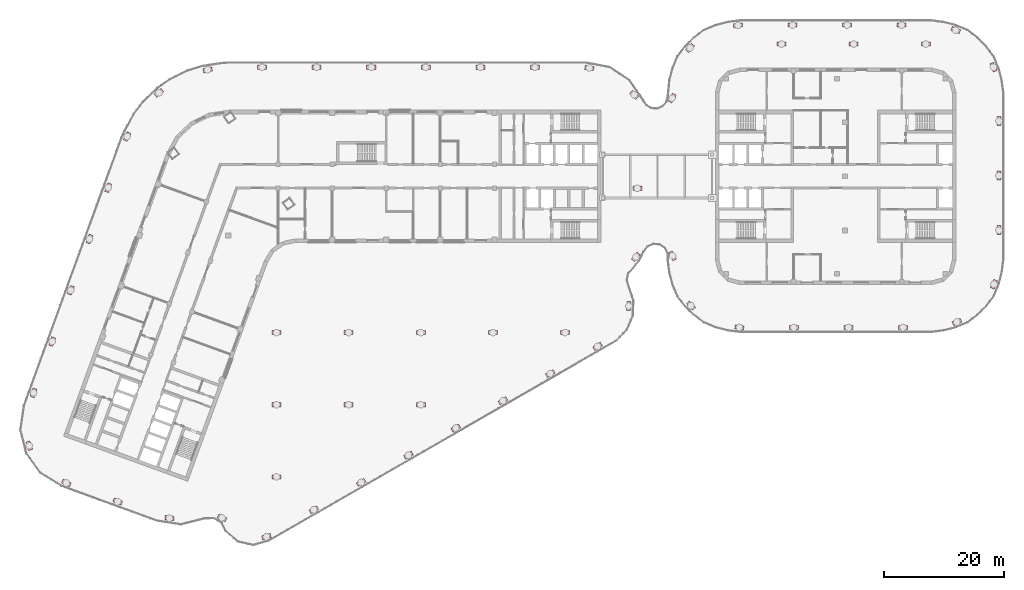
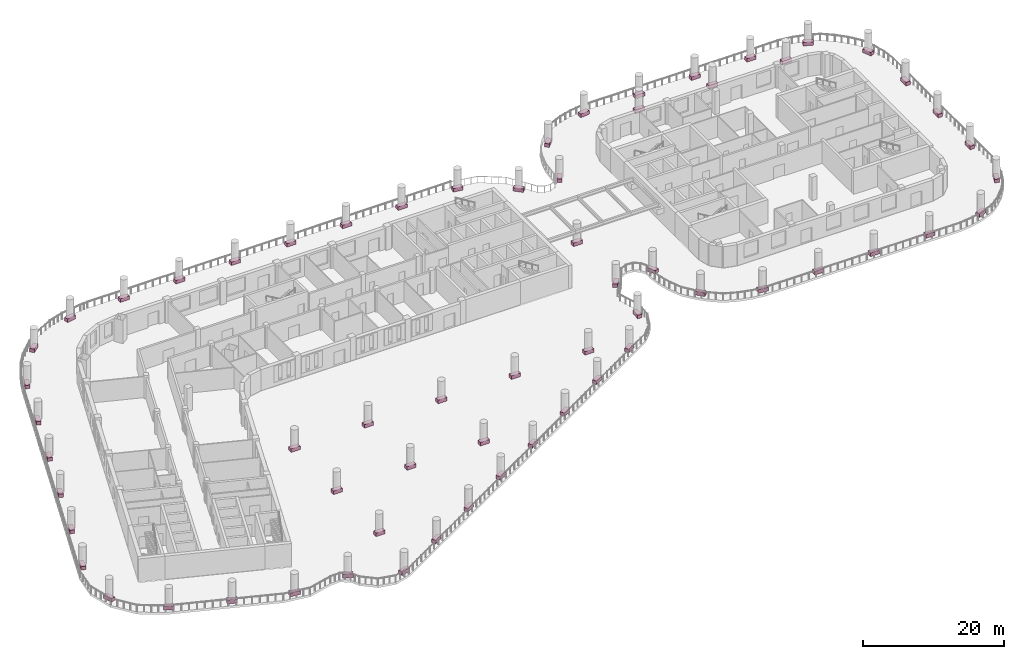
# One storey, part 17 of 18: 63 furniture elements.
"""IFC4 building model written with IfcOpenShell, lengths in metres."""

import ifcopenshell
import ifcopenshell.guid

model = None  # the IFC model being written
_history = None  # IfcOwnerHistory: only IFC2X3 demands one
_inside = {}  # id of a spatial element -> (the spatial element, [elements in it])
_under = {}  # id of a project, library or spatial element -> (it, [spatial elements below it])
_declared = {}  # id of a project -> (the project, [libraries it declares])
_typed = {}  # id of a type object -> (the type object, [elements of that type])
_made_of = {}  # id of a material, layer set ... -> (it, [elements and type objects made of it])


def new_model(schema):
    """Start an empty IFC model of exactly this schema.

    Asked for "IFC4X3", IfcOpenShell would pick the latest addendum, in which some entities
    have other attributes; the version numbers below select the first issue.
    IFC2X3 requires an IfcOwnerHistory on every rooted entity: one is made here for all.
    """
    global model, _history
    if schema == "IFC4X3":
        model = ifcopenshell.file(schema_version=(4, 3, 0, 0))
    else:
        model = ifcopenshell.file(schema=schema)
    _inside.clear()
    _under.clear()
    _declared.clear()
    _typed.clear()
    _made_of.clear()
    _history = None
    if model.schema == "IFC2X3":
        org = make("IfcOrganization", Name="unknown")
        user = make(
            "IfcPersonAndOrganization",
            ThePerson=make("IfcPerson", FamilyName="unknown"),
            TheOrganization=org,
        )
        app = make(
            "IfcApplication",
            ApplicationDeveloper=org,
            Version="unknown",
            ApplicationFullName="unknown",
            ApplicationIdentifier="unknown",
        )
        _history = make(
            "IfcOwnerHistory",
            OwningUser=user,
            OwningApplication=app,
            ChangeAction="ADDED",
            CreationDate=0,
        )
    return model


def make(cls, **values):
    """One entity of the class cls with the attributes given. An attribute that is None is left unset."""
    return model.create_entity(
        cls, **{name: value for name, value in values.items() if value is not None}
    )


def rooted(cls, **values):
    """An entity with a GlobalId (a new one), such as an element, a storey or a relation."""
    return make(cls, GlobalId=ifcopenshell.guid.new(), OwnerHistory=_history, **values)


def si_unit(unit_type, name, prefix=None):
    """IfcSIUnit, for example si_unit("LENGTHUNIT", "METRE", prefix="MILLI")."""
    return make("IfcSIUnit", UnitType=unit_type, Prefix=prefix, Name=name)


def assignment(units):
    """IfcUnitAssignment: the units of a project."""
    return None if units is None else make("IfcUnitAssignment", Units=units)


def point(xyz):
    """IfcCartesianPoint."""
    return None if xyz is None else make("IfcCartesianPoint", Coordinates=xyz)


def direction(xyz):
    """IfcDirection."""
    return None if xyz is None else make("IfcDirection", DirectionRatios=xyz)


def frame(location, z_axis=None, x_axis=None):
    """IfcAxis2Placement3D, a coordinate frame: its origin and axes. An axis left out is left unset."""
    return make(
        "IfcAxis2Placement3D",
        Location=point(location),
        Axis=direction(z_axis),
        RefDirection=direction(x_axis),
    )


def frame_2d(location, x_axis=None):
    """IfcAxis2Placement2D, a coordinate frame in the plane: its origin and x axis."""
    return make(
        "IfcAxis2Placement2D", Location=point(location), RefDirection=direction(x_axis)
    )


def origin():
    """The frame at (0, 0, 0) with its axes left unset."""
    return frame((0.0, 0.0, 0.0))


def origin_2d():
    """The frame at (0, 0) in the plane with its x axis left unset."""
    return frame_2d((0.0, 0.0))


def place(relative_to, where):
    """IfcLocalPlacement: puts the frame where relative to a parent placement (None: the world)."""
    return make(
        "IfcLocalPlacement", PlacementRelTo=relative_to, RelativePlacement=where
    )


def context(
    kind, dimensions, precision=None, world=None, true_north=None, identifier=None
):
    """IfcGeometricRepresentationContext, for example the 3D "Model" context."""
    return make(
        "IfcGeometricRepresentationContext",
        ContextIdentifier=identifier,
        ContextType=kind,
        CoordinateSpaceDimension=dimensions,
        Precision=precision,
        WorldCoordinateSystem=world,
        TrueNorth=true_north,
    )


def subcontext(parent, identifier, kind, view, scale=None):
    """IfcGeometricRepresentationSubContext, for example "Body" below "Model"."""
    return make(
        "IfcGeometricRepresentationSubContext",
        ContextIdentifier=identifier,
        ContextType=kind,
        ParentContext=parent,
        TargetScale=scale,
        TargetView=view,
    )


def project(units=None, contexts=None):
    """IfcProject with its units and contexts."""
    return rooted(
        "IfcProject",
        Name="project",
        RepresentationContexts=contexts,
        UnitsInContext=assignment(units),
    )


def spatial(cls, under=None, at=None, **own):
    """A site, building, storey or space (cls), placed at a placement, below another one or the project."""
    s = rooted(cls, ObjectPlacement=at, **own)
    if under is not None:
        _under.setdefault(under.id(), (under, []))[1].append(s)
    return s


def profile(cls, at=None, kind="AREA", **sizes):
    """A parametric profile (cls). Its sizes go by their IFC names, for example OverallWidth=200.0."""
    return make(cls, ProfileType=kind, Position=at, **sizes)


def rectangle(**sizes):
    """IfcRectangleProfileDef."""
    return profile("IfcRectangleProfileDef", **sizes)


def extrude(swept, where, along, depth):
    """IfcExtrudedAreaSolid: the profile swept, set in the frame where, extruded along a direction by depth."""
    return make(
        "IfcExtrudedAreaSolid",
        SweptArea=swept,
        Position=where,
        ExtrudedDirection=direction(along),
        Depth=depth,
    )


def shape(context_of_items, identifier, shape_type, items):
    """IfcShapeRepresentation: the items that make up one representation, for example the "Body"."""
    return make(
        "IfcShapeRepresentation",
        ContextOfItems=context_of_items,
        RepresentationIdentifier=identifier,
        RepresentationType=shape_type,
        Items=items,
    )


def made_of(thing, what):
    """Note that an element or type object is made of a material, layer set ...; save() writes the relation."""
    if what is not None:
        _made_of.setdefault(what.id(), (what, []))[1].append(thing)
    return thing


def element(
    cls,
    number,
    at=None,
    inside=None,
    cuts=None,
    type_object=None,
    material=None,
    context=None,
    identifier="Body",
    shape_type=None,
    held_by="IfcProductDefinitionShape",
    body=None,
    shapes=None,
    **own,
):
    """One element of the class cls, such as IfcWall. Its Tag is "e" and its number.

    at: its placement. inside: the storey or other place that contains it. cuts: it is an
    opening in that element (IfcRelVoidsElement). A single representation is given by context,
    identifier, shape_type and body (its items); several are given by shapes. held_by: the class
    of the entity that holds the representations. save() writes the other relations.
    """
    e = rooted(cls, Tag="e%d" % number, ObjectPlacement=at, **own)
    if body is not None:
        shapes = [shape(context, identifier, shape_type, body)]
    if shapes is not None:
        e.Representation = make(held_by, Representations=shapes)
    if inside is not None:
        _inside.setdefault(inside.id(), (inside, []))[1].append(e)
    if cuts is not None:
        rooted(
            "IfcRelVoidsElement", RelatingBuildingElement=cuts, RelatedOpeningElement=e
        )
    if type_object is not None:
        _typed.setdefault(type_object.id(), (type_object, []))[1].append(e)
    return made_of(e, material)


def aggregate(whole, parts):
    """IfcRelAggregates: a whole, such as a stair, and the parts it consists of."""
    return rooted("IfcRelAggregates", RelatingObject=whole, RelatedObjects=parts)


def save(model, path):
    """Write the relations noted so far, then the file.

    IfcRelAggregates (storeys below a building ...), IfcRelContainedInSpatialStructure (elements
    in a storey), IfcRelDefinesByType, IfcRelAssociatesMaterial and IfcRelDeclares: one each for
    every whole, place, type object, material and project.
    """
    for whole, parts in _under.values():
        aggregate(whole, parts)
    for where, things in _inside.values():
        rooted(
            "IfcRelContainedInSpatialStructure",
            RelatedElements=things,
            RelatingStructure=where,
        )
    for kind, things in _typed.values():
        rooted("IfcRelDefinesByType", RelatedObjects=things, RelatingType=kind)
    for what, things in _made_of.values():
        rooted("IfcRelAssociatesMaterial", RelatedObjects=things, RelatingMaterial=what)
    for by, libraries in _declared.values():
        rooted("IfcRelDeclares", RelatingContext=by, RelatedDefinitions=libraries)
    model.write(path)


model = new_model("IFC4")

# Units and contexts
model_context = context("Model", 3, precision=1e-05, world=origin(), true_north=direction((0.0, 1.0)))
body_context = subcontext(model_context, "Body", "Model", "MODEL_VIEW")
ifc_project = project(units=[si_unit("LENGTHUNIT", "METRE"), si_unit("AREAUNIT", "SQUARE_METRE"), si_unit("VOLUMEUNIT", "CUBIC_METRE"), si_unit("PLANEANGLEUNIT", "RADIAN"), si_unit("MASSUNIT", "GRAM", prefix="KILO")], contexts=[model_context])

# Site, building, storey
site_placement = place(None, origin())
site = spatial("IfcSite", under=ifc_project, at=site_placement, CompositionType="ELEMENT")
building_placement = place(site_placement, origin())
building = spatial("IfcBuilding", under=site, at=building_placement, Name="Skarvind Civic Tower", CompositionType="ELEMENT")
storey_placement = place(building_placement, frame((0.0, 0.0, 27.5)))
storey = spatial("IfcBuildingStorey", under=building, at=storey_placement, Name="L05", CompositionType="ELEMENT", Elevation=27.5)

# Furniture
for number, where, z_axis, x_axis, name in (
    (1, (44.92919921875, 71.192626953125, 0.0), (0.0, 0.0, 1.0), (-0.898257804261, 0.439468903432, 0.0), "PODIUM ROOF TERRACE PLANTER"),
    (2, (36.18701171875, 71.144287109375, 0.0), (0.0, 0.0, 1.0), (-0.995379454967, 0.09601948047, 0.0), "PODIUM ROOF TERRACE PLANTER"),
    (3, (27.56689453125, 73.891357421875, 0.0), (0.0, 0.0, 1.0), (-0.939692620786, 0.342020143326, 0.0), "PODIUM ROOF TERRACE PLANTER"),
    (4, (19.0380859375, 76.99560546875, 0.0), (0.0, 0.0, 1.0), (-0.900849834449, 0.434130827946, 0.0), "PODIUM ROOF TERRACE PLANTER"),
    (5, (12.85986328125, 83.180419921875, 0.0), (0.0, 0.0, 1.0), (-0.315649036947, 0.948876011644, 0.0), "PODIUM ROOF TERRACE PLANTER"),
    (6, (13.57763671875, 91.9873046875, 0.0), (0.0, 0.0, 1.0), (0.297374874078, 0.954760799503, 0.0), "PODIUM ROOF TERRACE PLANTER"),
    (7, (16.681884765625, 100.515869140625, 0.0), (0.0, 0.0, 1.0), (0.342020143326, 0.939692620786, 0.0), "PODIUM ROOF TERRACE PLANTER"),
    (8, (19.785888671875, 109.044677734375, 0.0), (0.0, 0.0, 1.0), (0.342020143326, 0.939692620786, 0.0), "PODIUM ROOF TERRACE PLANTER"),
    (9, (22.89013671875, 117.5732421875, 0.0), (0.0, 0.0, 1.0), (0.342020143326, 0.939692620786, 0.0), "PODIUM ROOF TERRACE PLANTER"),
    (10, (25.994384765625, 126.10205078125, 0.0), (0.0, 0.0, 1.0), (0.342020143326, 0.939692620786, 0.0), "PODIUM ROOF TERRACE PLANTER"),
    (11, (29.139404296875, 134.6142578125, 0.0), (0.0, 0.0, 1.0), (0.421827198174, 0.906676245901, 0.0), "PODIUM ROOF TERRACE PLANTER"),
    (12, (34.44189453125, 141.87451171875, 0.0), (0.0, 0.0, 1.0), (0.770958060864, 0.636885914735, 0.0), "PODIUM ROOF TERRACE PLANTER"),
    (13, (42.55224609375, 145.70166015625, 0.0), (0.0, 0.0, 1.0), (0.977929339831, 0.208935890402, 0.0), "PODIUM ROOF TERRACE PLANTER"),
    (14, (51.598388671875, 146.14990234375, 0.0), (0.0, 0.0, 1.0), (1.0, 0.0, 0.0), "PODIUM ROOF TERRACE PLANTER"),
    (15, (60.67431640625, 146.14990234375, 0.0), (0.0, 0.0, 1.0), (1.0, 0.0, 0.0), "PODIUM ROOF TERRACE PLANTER"),
    (16, (69.75048828125, 146.14990234375, 0.0), (0.0, 0.0, 1.0), (1.0, 0.0, 0.0), "PODIUM ROOF TERRACE PLANTER"),
    (17, (78.82666015625, 146.14990234375, 0.0), (0.0, 0.0, 1.0), (1.0, 0.0, 0.0), "PODIUM ROOF TERRACE PLANTER"),
    (18, (87.902587890625, 146.14990234375, 0.0), (0.0, 0.0, 1.0), (1.0, 0.0, 0.0), "PODIUM ROOF TERRACE PLANTER"),
    (19, (96.978759765625, 146.14990234375, 0.0), (0.0, 0.0, 1.0), (1.0, 0.0, 0.0), "PODIUM ROOF TERRACE PLANTER"),
    (20, (106.04248046875, 146.024169921875, 0.0), (0.0, 0.0, 1.0), (0.985820856646, -0.167801187722, 0.0), "PODIUM ROOF TERRACE PLANTER"),
    (21, (113.47998046875, 141.546875, 0.0), (0.0, 0.0, 1.0), (0.719097275004, -0.694909425092, 0.0), "PODIUM ROOF TERRACE PLANTER"),
    (22, (119.797119140625, 141.006103515625, 0.0), (0.0, 0.0, 1.0), (0.493031062956, 0.87001170737, 0.0), "PODIUM ROOF TERRACE PLANTER"),
    (23, (122.7744140625, 149.35009765625, 0.0), (0.0, 0.0, 1.0), (0.664839324646, 0.746986393721, 0.0), "PODIUM ROOF TERRACE PLANTER"),
    (24, (130.759521484375, 153.108154296875, 0.0), (0.0, 0.0, 1.0), (0.992310350244, 0.123774669453, 0.0), "PODIUM ROOF TERRACE PLANTER"),
    (25, (139.832763671875, 153.14990234375, 0.0), (0.0, 0.0, 1.0), (1.0, 0.0, 0.0), "PODIUM ROOF TERRACE PLANTER"),
    (26, (148.908935546875, 153.14990234375, 0.0), (0.0, 0.0, 1.0), (1.0, 0.0, 0.0), "PODIUM ROOF TERRACE PLANTER"),
    (27, (157.985107421875, 153.14990234375, 0.0), (0.0, 0.0, 1.0), (1.0, 0.0, 0.0), "PODIUM ROOF TERRACE PLANTER"),
    (28, (166.962890625, 152.3125, 0.0), (0.0, 0.0, 1.0), (0.927966394667, -0.372663883908, 0.0), "PODIUM ROOF TERRACE PLANTER"),
    (29, (173.235107421875, 146.1494140625, 0.0), (0.0, 0.0, 1.0), (0.388963167031, -0.921253306476, 0.0), "PODIUM ROOF TERRACE PLANTER"),
    (30, (174.14990234375, 137.18701171875, 0.0), (0.0, 0.0, 1.0), (0.0, -1.0, 0.0), "PODIUM ROOF TERRACE PLANTER"),
    (31, (174.14990234375, 128.11083984375, 0.0), (0.0, 0.0, 1.0), (0.0, -1.0, 0.0), "PODIUM ROOF TERRACE PLANTER"),
    (32, (174.14990234375, 119.034912109375, 0.0), (0.0, 0.0, 1.0), (0.0, -1.0, 0.0), "PODIUM ROOF TERRACE PLANTER"),
    (33, (173.320068359375, 110.055419921875, 0.0), (0.0, 0.0, 1.0), (-0.371043710237, -0.928615402141, 0.0), "PODIUM ROOF TERRACE PLANTER"),
    (34, (167.167724609375, 103.772216796875, 0.0), (0.0, 0.0, 1.0), (-0.920641188263, -0.390409787882, 0.0), "PODIUM ROOF TERRACE PLANTER"),
    (35, (158.206787109375, 102.85009765625, 0.0), (0.0, 0.0, 1.0), (-1.0, 0.0, 0.0), "PODIUM ROOF TERRACE PLANTER"),
    (36, (149.130615234375, 102.85009765625, 0.0), (0.0, 0.0, 1.0), (-1.0, 0.0, 0.0), "PODIUM ROOF TERRACE PLANTER"),
    (37, (140.0546875, 102.85009765625, 0.0), (0.0, 0.0, 1.0), (-1.0, 0.0, 0.0), "PODIUM ROOF TERRACE PLANTER"),
    (38, (130.9794921875, 102.86279296875, 0.0), (0.0, 0.0, 1.0), (-0.993452764783, 0.114243617521, 0.0), "PODIUM ROOF TERRACE PLANTER"),
    (39, (122.93115234375, 106.4931640625, 0.0), (0.0, 0.0, 1.0), (-0.681359873953, 0.731948578909, 0.0), "PODIUM ROOF TERRACE PLANTER"),
    (40, (119.87744140625, 114.773193359375, 0.0), (0.0, 0.0, 1.0), (-0.459734862673, 0.888056223469, 0.0), "PODIUM ROOF TERRACE PLANTER"),
    (41, (113.77001953125, 114.58642578125, 0.0), (0.0, 0.0, 1.0), (-0.626467781687, -0.779447316057, 0.0), "PODIUM ROOF TERRACE PLANTER"),
    (42, (112.59326171875, 106.42431640625, 0.0), (0.0, 0.0, 1.0), (-0.05111586135, -0.998692729882, 0.0), "PODIUM ROOF TERRACE PLANTER"),
    (43, (107.389404296875, 99.718505859375, 0.0), (0.0, 0.0, 1.0), (-0.843672659607, -0.536857935987, 0.0), "PODIUM ROOF TERRACE PLANTER"),
    (44, (99.52294921875, 95.19091796875, 0.0), (0.0, 0.0, 1.0), (-0.866722691078, -0.498790313429, 0.0), "PODIUM ROOF TERRACE PLANTER"),
    (45, (91.65673828125, 90.66357421875, 0.0), (0.0, 0.0, 1.0), (-0.866722691078, -0.498790313429, 0.0), "PODIUM ROOF TERRACE PLANTER"),
    (46, (83.79052734375, 86.13623046875, 0.0), (0.0, 0.0, 1.0), (-0.866722691078, -0.498790313429, 0.0), "PODIUM ROOF TERRACE PLANTER"),
    (47, (75.92431640625, 81.60888671875, 0.0), (0.0, 0.0, 1.0), (-0.866722691078, -0.498790313429, 0.0), "PODIUM ROOF TERRACE PLANTER"),
    (48, (68.05810546875, 77.08154296875, 0.0), (0.0, 0.0, 1.0), (-0.866722691078, -0.498790313429, 0.0), "PODIUM ROOF TERRACE PLANTER"),
    (49, (60.19189453125, 72.55419921875, 0.0), (0.0, 0.0, 1.0), (-0.866722691078, -0.498790313429, 0.0), "PODIUM ROOF TERRACE PLANTER"),
    (50, (52.3154296875, 68.051025390625, 0.0), (0.0, 0.0, 1.0), (-0.962027671586, -0.272951935517, 0.0), "PODIUM ROOF TERRACE PLANTER"),
    (51, (54.0, 78.0, 0.0), (0.0, 0.0, 1.0), (1.0, 0.0, 0.0), "PODIUM ROOF TERRACE PLANTER"),
    (52, (54.0, 90.0, 0.0), (0.0, 0.0, 1.0), (1.0, 0.0, 0.0), "PODIUM ROOF TERRACE PLANTER"),
    (53, (54.0, 102.0, 0.0), (0.0, 0.0, 1.0), (1.0, 0.0, 0.0), "PODIUM ROOF TERRACE PLANTER"),
    (54, (66.0, 90.0, 0.0), (0.0, 0.0, 1.0), (1.0, 0.0, 0.0), "PODIUM ROOF TERRACE PLANTER"),
    (55, (66.0, 102.0, 0.0), (0.0, 0.0, 1.0), (1.0, 0.0, 0.0), "PODIUM ROOF TERRACE PLANTER"),
    (56, (78.0, 90.0, 0.0), (0.0, 0.0, 1.0), (1.0, 0.0, 0.0), "PODIUM ROOF TERRACE PLANTER"),
    (57, (78.0, 102.0, 0.0), (0.0, 0.0, 1.0), (1.0, 0.0, 0.0), "PODIUM ROOF TERRACE PLANTER"),
    (58, (90.0, 102.0, 0.0), (0.0, 0.0, 1.0), (1.0, 0.0, 0.0), "PODIUM ROOF TERRACE PLANTER"),
    (59, (102.0, 102.0, 0.0), (0.0, 0.0, 1.0), (1.0, 0.0, 0.0), "PODIUM ROOF TERRACE PLANTER"),
    (60, (114.0, 126.0, 0.0), (0.0, 0.0, 1.0), (1.0, 0.0, 0.0), "PODIUM ROOF TERRACE PLANTER"),
    (61, (138.0, 150.0, 0.0), (0.0, 0.0, 1.0), (1.0, 0.0, 0.0), "PODIUM ROOF TERRACE PLANTER"),
    (62, (150.0, 150.0, 0.0), (0.0, 0.0, 1.0), (1.0, 0.0, 0.0), "PODIUM ROOF TERRACE PLANTER"),
    (63, (162.0, 150.0, 0.0), (0.0, 0.0, 1.0), (1.0, 0.0, 0.0), "PODIUM ROOF TERRACE PLANTER"),
):
    element("IfcFurniture", number, at=place(storey_placement, frame(where, z_axis=z_axis, x_axis=x_axis)), inside=storey, Name=name, ObjectType="PLANTER", PredefinedType="USERDEFINED", context=body_context, shape_type="SweptSolid", body=[
        extrude(rectangle(XDim=1.5, YDim=0.699951171875, at=origin_2d()), origin(), (0.0, 0.0, 1.0), 0.60009765625),
    ])

save(model, "model.ifc")
